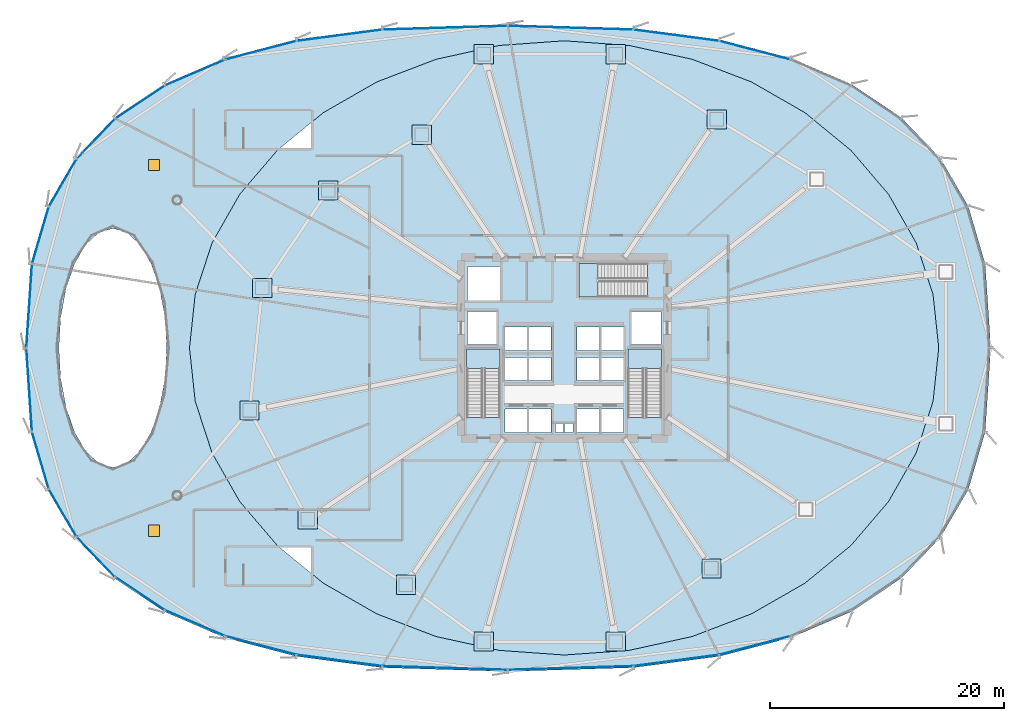
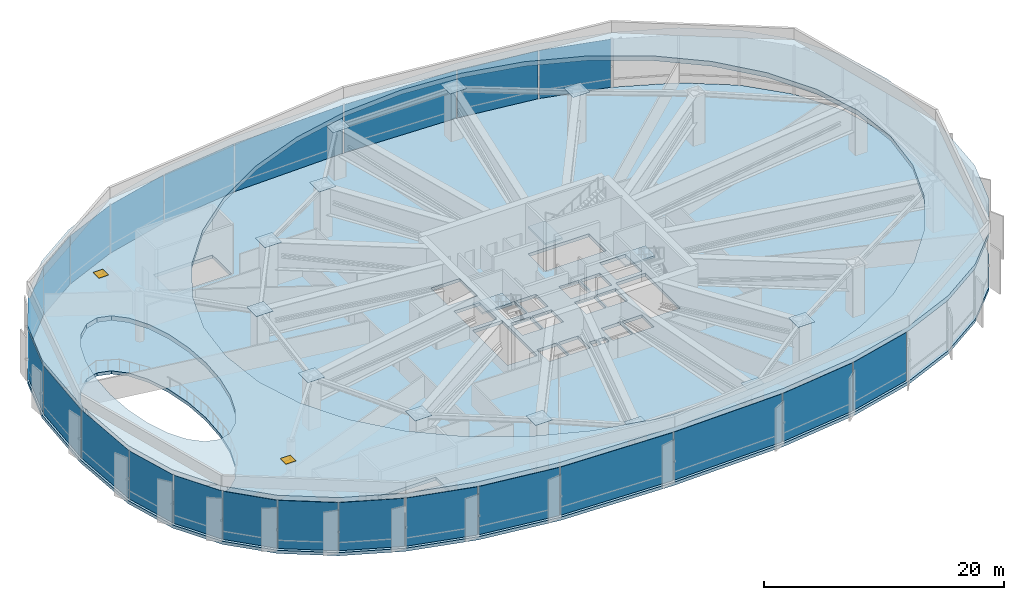
# One storey, part 25 of 36: 36 plates, 5 slabs, 2 doors, 2 openings, 7 elements without a shape of their own.
"""IFC4 building model written with IfcOpenShell, lengths in metres."""

from ifc_helpers import new_model, si_unit, direction, frame, origin, origin_2d, place, context, subcontext, project, spatial, polyline, rectangle, outline, extrude, source, transform, mapped, material, layer, layer_set, type_object, element, fill, aggregate, save


model = new_model("IFC4")

# Units and contexts
model_context = context("Model", 3, precision=1e-05, world=origin(), true_north=direction((0.0, 1.0)))
body_context = subcontext(model_context, "Body", "Model", "MODEL_VIEW")
ifc_project = project(units=[si_unit("LENGTHUNIT", "METRE"), si_unit("AREAUNIT", "SQUARE_METRE"), si_unit("VOLUMEUNIT", "CUBIC_METRE"), si_unit("PLANEANGLEUNIT", "RADIAN"), si_unit("MASSUNIT", "GRAM", prefix="KILO"), si_unit("THERMODYNAMICTEMPERATUREUNIT", "KELVIN")], contexts=[model_context])

# Site, building, storey
site_placement = place(None, origin())
site = spatial("IfcSite", under=ifc_project, at=site_placement, CompositionType="ELEMENT")
building_placement = place(site_placement, origin())
building = spatial("IfcBuilding", under=site, at=building_placement, Name="Kethvar Cultural Tower", CompositionType="ELEMENT")
storey_placement = place(building_placement, frame((0.0, 0.0, 24.0)))
storey = spatial("IfcBuildingStorey", under=building, at=storey_placement, Name="L05", CompositionType="ELEMENT", Elevation=24.0)

# Slab
ifc_material_1 = material(Name="Concrete C50/60", Category="concrete")
ifc_layer_1 = layer(ifc_material_1, 0.320068359375, Name="Concrete C50/60", Category="concrete")
ifc_layer_set_1 = layer_set([ifc_layer_1], Name="Concrete C50/60 (320 mm)")
slab_type_1 = type_object("IfcSlabType", Name="SL-POD-320", PredefinedType="FLOOR", material=ifc_layer_set_1)
slab_1_placement = place(storey_placement, frame((0.0, 0.0, -0.320068359375)))
element("IfcSlab", 1, at=slab_1_placement, inside=storey, type_object=slab_type_1, Name="L05 Structural Floor Slab", PredefinedType="FLOOR", context=body_context, shape_type="SweptSolid", body=[
    extrude(outline(polyline([(83.199951171875, 27.800048828125), (82.7177734375, 34.978515625), (81.275146484375, 39.8916015625), (78.884521484375, 43.993896484375), (75.56298828125, 47.44580078125), (71.326416015625, 50.283935546875), (66.17333984375, 52.509033203125), (60.0498046875, 54.110595703125), (52.7158203125, 55.076904296875), (42.0, 55.39990234375), (31.2841796875, 55.076904296875), (23.9501953125, 54.110595703125), (17.82666015625, 52.509033203125), (12.673583984375, 50.283935546875), (8.43701171875, 47.44580078125), (5.115478515625, 43.993896484375), (2.724853515625, 39.8916015625), (1.2822265625, 34.978515625), (0.800048828125, 27.800048828125), (1.2822265625, 20.621337890625), (2.724853515625, 15.708251953125), (5.115478515625, 11.606201171875), (8.43701171875, 8.154296875), (12.673583984375, 5.31591796875), (17.82666015625, 3.091064453125), (23.9501953125, 1.489501953125), (31.2841796875, 0.523193359375), (42.0, 0.199951171875), (52.7158203125, 0.523193359375), (60.0498046875, 1.489501953125), (66.17333984375, 3.091064453125), (71.326416015625, 5.31591796875), (75.56298828125, 8.154296875), (78.884521484375, 11.606201171875), (81.275146484375, 15.708251953125), (82.7177734375, 20.621337890625), (83.199951171875, 27.800048828125)]), holes=[polyline([(38.489990234375, 21.85009765625), (38.489990234375, 27.699951171875), (41.35009765625, 27.699951171875), (41.35009765625, 21.85009765625), (38.489990234375, 21.85009765625)]), polyline([(52.25, 21.85009765625), (52.25, 27.699951171875), (55.110107421875, 27.699951171875), (55.110107421875, 21.85009765625), (52.25, 21.85009765625)]), polyline([(53.89990234375, 32.14990234375), (48.050048828125, 32.14990234375), (48.050048828125, 35.010009765625), (53.89990234375, 35.010009765625), (53.89990234375, 32.14990234375)]), polyline([(19.5, 10.760009765625), (25.199951171875, 10.760009765625), (25.199951171875, 7.60009765625), (19.5, 7.60009765625), (19.5, 10.760009765625)]), polyline([(19.5, 48.0), (25.199951171875, 48.0), (25.199951171875, 44.840087890625), (19.5, 44.840087890625), (19.5, 48.0)]), polyline([(41.75, 22.60009765625), (43.64990234375, 22.60009765625), (43.64990234375, 20.60009765625), (41.75, 20.60009765625), (41.75, 22.60009765625)]), polyline([(43.800048828125, 22.60009765625), (45.699951171875, 22.60009765625), (45.699951171875, 20.60009765625), (43.800048828125, 20.60009765625), (43.800048828125, 22.60009765625)]), polyline([(47.89990234375, 22.60009765625), (49.800048828125, 22.60009765625), (49.800048828125, 20.60009765625), (47.89990234375, 20.60009765625), (47.89990234375, 22.60009765625)]), polyline([(49.949951171875, 22.60009765625), (51.85009765625, 22.60009765625), (51.85009765625, 20.60009765625), (49.949951171875, 20.60009765625), (49.949951171875, 22.60009765625)]), polyline([(41.75, 27.0), (43.64990234375, 27.0), (43.64990234375, 25.0), (41.75, 25.0), (41.75, 27.0)]), polyline([(43.800048828125, 27.0), (45.699951171875, 27.0), (45.699951171875, 25.0), (43.800048828125, 25.0), (43.800048828125, 27.0)]), polyline([(47.89990234375, 27.0), (49.800048828125, 27.0), (49.800048828125, 25.0), (47.89990234375, 25.0), (47.89990234375, 27.0)]), polyline([(49.949951171875, 27.0), (51.85009765625, 27.0), (51.85009765625, 25.0), (49.949951171875, 25.0), (49.949951171875, 27.0)]), polyline([(41.75, 29.60009765625), (43.64990234375, 29.60009765625), (43.64990234375, 27.60009765625), (41.75, 27.60009765625), (41.75, 29.60009765625)]), polyline([(43.800048828125, 29.60009765625), (45.699951171875, 29.60009765625), (45.699951171875, 27.60009765625), (43.800048828125, 27.60009765625), (43.800048828125, 29.60009765625)]), polyline([(47.89990234375, 29.60009765625), (49.800048828125, 29.60009765625), (49.800048828125, 27.60009765625), (47.89990234375, 27.60009765625), (47.89990234375, 29.60009765625)]), polyline([(49.949951171875, 29.60009765625), (51.85009765625, 29.60009765625), (51.85009765625, 27.60009765625), (49.949951171875, 27.60009765625), (49.949951171875, 29.60009765625)]), polyline([(38.550048828125, 30.89990234375), (41.050048828125, 30.89990234375), (41.050048828125, 28.10009765625), (38.550048828125, 28.10009765625), (38.550048828125, 30.89990234375)]), polyline([(52.550048828125, 30.89990234375), (55.050048828125, 30.89990234375), (55.050048828125, 28.10009765625), (52.550048828125, 28.10009765625), (52.550048828125, 30.89990234375)]), polyline([(38.550048828125, 34.75), (41.35009765625, 34.75), (41.35009765625, 31.85009765625), (38.550048828125, 31.85009765625), (38.550048828125, 34.75)]), polyline([(46.050048828125, 21.35009765625), (46.75, 21.35009765625), (46.75, 20.60009765625), (46.050048828125, 20.60009765625), (46.050048828125, 21.35009765625)]), polyline([(46.85009765625, 21.35009765625), (47.550048828125, 21.35009765625), (47.550048828125, 20.60009765625), (46.85009765625, 20.60009765625), (46.85009765625, 21.35009765625)]), polyline([(12.743408203125, 25.159912109375), (12.28369140625, 22.699951171875), (11.552734375, 20.58740234375), (10.60009765625, 18.966552734375), (9.490478515625, 17.947509765625), (8.300048828125, 17.60009765625), (7.109375, 17.947509765625), (6.0, 18.966552734375), (5.04736328125, 20.58740234375), (4.31640625, 22.699951171875), (3.856689453125, 25.159912109375), (3.699951171875, 27.800048828125), (3.856689453125, 30.43994140625), (4.31640625, 32.89990234375), (5.04736328125, 35.012451171875), (6.0, 36.633544921875), (7.109375, 37.65234375), (8.300048828125, 38.0), (9.490478515625, 37.65234375), (10.60009765625, 36.633544921875), (11.552734375, 35.012451171875), (12.28369140625, 32.89990234375), (12.743408203125, 30.43994140625), (12.89990234375, 27.800048828125), (12.743408203125, 25.159912109375)])]), origin(), (0.0, 0.0, 1.0), 0.320068359375),
])

# Slab, openings, doors
ifc_material_2 = material(Name="Concrete C40/50", Category="concrete")
ifc_layer_2 = layer(ifc_material_2, 0.47998046875, Name="Concrete C40/50", Category="concrete")
ifc_layer_set_2 = layer_set([ifc_layer_2], Name="Concrete C40/50 (480 mm)")
slab_type_2 = type_object("IfcSlabType", Name="SL-ROOF-POD", PredefinedType="ROOF", material=ifc_layer_set_2)
slab_2_placement = place(storey_placement, frame((0.0, 0.0, 5.1201171875)))
slab_2 = element("IfcSlab", 2, at=slab_2_placement, inside=storey, type_object=slab_type_2, Name="Podium Roof & Atrium Skylight Deck", PredefinedType="ROOF", context=body_context, shape_type="SweptSolid", body=[
    extrude(outline(polyline([(83.199951171875, 27.800048828125), (82.7177734375, 34.978515625), (81.275146484375, 39.8916015625), (78.884521484375, 43.993896484375), (75.56298828125, 47.44580078125), (71.326416015625, 50.283935546875), (66.17333984375, 52.509033203125), (60.0498046875, 54.110595703125), (52.7158203125, 55.076904296875), (42.0, 55.39990234375), (31.2841796875, 55.076904296875), (23.9501953125, 54.110595703125), (17.82666015625, 52.509033203125), (12.673583984375, 50.283935546875), (8.43701171875, 47.44580078125), (5.115478515625, 43.993896484375), (2.724853515625, 39.8916015625), (1.2822265625, 34.978515625), (0.800048828125, 27.800048828125), (1.2822265625, 20.621337890625), (2.724853515625, 15.708251953125), (5.115478515625, 11.606201171875), (8.43701171875, 8.154296875), (12.673583984375, 5.31591796875), (17.82666015625, 3.091064453125), (23.9501953125, 1.489501953125), (31.2841796875, 0.523193359375), (42.0, 0.199951171875), (52.7158203125, 0.523193359375), (60.0498046875, 1.489501953125), (66.17333984375, 3.091064453125), (71.326416015625, 5.31591796875), (75.56298828125, 8.154296875), (78.884521484375, 11.606201171875), (81.275146484375, 15.708251953125), (82.7177734375, 20.621337890625), (83.199951171875, 27.800048828125)]), holes=[polyline([(78.2744140625, 23.25048828125), (76.83251953125, 18.839111328125), (74.478271484375, 14.699951171875), (71.28271484375, 10.958984375), (67.343505859375, 7.7294921875), (62.780029296875, 5.110107421875), (57.73095703125, 3.18017578125), (52.349853515625, 1.998046875), (46.800048828125, 1.60009765625), (41.250244140625, 1.998046875), (35.868896484375, 3.18017578125), (30.820068359375, 5.110107421875), (26.256591796875, 7.7294921875), (22.317138671875, 10.958984375), (19.121826171875, 14.699951171875), (16.767333984375, 18.839111328125), (15.325439453125, 23.25048828125), (14.840087890625, 27.800048828125), (15.325439453125, 32.349609375), (16.767333984375, 36.760986328125), (19.121826171875, 40.89990234375), (22.317138671875, 44.64111328125), (26.256591796875, 47.870361328125), (30.820068359375, 50.489990234375), (35.868896484375, 52.419921875), (41.250244140625, 53.60205078125), (46.800048828125, 54.0), (52.349853515625, 53.60205078125), (57.73095703125, 52.419921875), (62.780029296875, 50.489990234375), (67.343505859375, 47.870361328125), (71.28271484375, 44.64111328125), (74.478271484375, 40.89990234375), (76.83251953125, 36.760986328125), (78.2744140625, 32.349609375), (78.760009765625, 27.800048828125), (78.2744140625, 23.25048828125)]), polyline([(12.743408203125, 25.159912109375), (12.28369140625, 22.699951171875), (11.552734375, 20.58740234375), (10.60009765625, 18.966552734375), (9.490478515625, 17.947509765625), (8.300048828125, 17.60009765625), (7.109375, 17.947509765625), (6.0, 18.966552734375), (5.04736328125, 20.58740234375), (4.31640625, 22.699951171875), (3.856689453125, 25.159912109375), (3.699951171875, 27.800048828125), (3.856689453125, 30.43994140625), (4.31640625, 32.89990234375), (5.04736328125, 35.012451171875), (6.0, 36.633544921875), (7.109375, 37.65234375), (8.300048828125, 38.0), (9.490478515625, 37.65234375), (10.60009765625, 36.633544921875), (11.552734375, 35.012451171875), (12.28369140625, 32.89990234375), (12.743408203125, 30.43994140625), (12.89990234375, 27.800048828125), (12.743408203125, 25.159912109375)])]), origin(), (0.0, 0.0, 1.0), 0.47998046875),
])
opening_1_placement = place(slab_2_placement, frame((11.800048828125, 12.199951171875, -0.010009765625)))
opening_1 = element("IfcOpeningElement", 3, at=opening_1_placement, cuts=slab_2, Name="Opening RH-02", PredefinedType="OPENING", context=body_context, shape_type="SweptSolid", body=[
    extrude(rectangle(XDim=0.949951171875, YDim=0.949951171875, at=origin_2d()), origin(), (0.0, 0.0, 1.0), 0.5),
])
opening_2_placement = place(slab_2_placement, frame((11.800048828125, 43.39990234375, -0.010009765625)))
opening_2 = element("IfcOpeningElement", 4, at=opening_2_placement, cuts=slab_2, Name="Opening RH-03", PredefinedType="OPENING", context=body_context, shape_type="SweptSolid", body=[
    extrude(rectangle(XDim=0.949951171875, YDim=0.949951171875, at=origin_2d()), origin(), (0.0, 0.0, 1.0), 0.5),
])
ifc_material_3 = material(Name="Steel S355J2", Category="steel")
door_type = type_object("IfcDoorType", Name="DR-TRAP-ROOF", OperationType="SINGLE_SWING_LEFT", PredefinedType="TRAPDOOR", material=ifc_material_3)
door_1_placement = place(slab_2_placement, frame((11.800048828125, 12.199951171875, 0.419921875)))
door_1 = element("IfcDoor", 5, at=door_1_placement, inside=storey, type_object=door_type, Name="Podium South Roof Access Hatch RH-02", OperationType="SINGLE_SWING_LEFT", OverallHeight=0.949951171875, OverallWidth=0.949951171875, PredefinedType="TRAPDOOR", context=body_context, shape_type="SweptSolid", body=[
    extrude(rectangle(XDim=0.949951171875, YDim=0.949951171875, at=origin_2d()), origin(), (0.0, 0.0, 1.0), 0.06005859375),
])
fill(opening_1, door_1)
door_2_placement = place(slab_2_placement, frame((11.800048828125, 43.39990234375, 0.419921875)))
door_2 = element("IfcDoor", 6, at=door_2_placement, inside=storey, type_object=door_type, Name="Podium North Roof Access Hatch RH-03", OperationType="SINGLE_SWING_LEFT", OverallHeight=0.949951171875, OverallWidth=0.949951171875, PredefinedType="TRAPDOOR", context=body_context, shape_type="SweptSolid", body=[
    extrude(rectangle(XDim=0.949951171875, YDim=0.949951171875, at=origin_2d()), origin(), (0.0, 0.0, 1.0), 0.06005859375),
])
fill(opening_2, door_2)

# Stair, slab
stair_type = type_object("IfcStairType", Name="ST-DOGLEG-135", PredefinedType="HALF_TURN_STAIR", material=ifc_material_2)
stair_1_placement = place(storey_placement, origin())
stair_1 = element("IfcStair", 7, at=stair_1_placement, inside=storey, type_object=stair_type, Name="L05 Core Exit Stair 1", PredefinedType="HALF_TURN_STAIR")
ifc_layer_3 = layer(ifc_material_2, 0.199951171875, Name="Concrete C40/50", Category="concrete")
ifc_layer_set_3 = layer_set([ifc_layer_3], Name="Concrete C40/50 (200 mm)")
slab_type_3 = type_object("IfcSlabType", Name="SL-STAIR-LANDING-200", PredefinedType="LANDING", material=ifc_layer_set_3)
slab_3_placement = place(storey_placement, frame((0.0, 0.0, 2.60009765625)))
slab_3 = element("IfcSlab", 8, at=slab_3_placement, type_object=slab_type_3, Name="ST-01 landing 1", PredefinedType="LANDING", context=body_context, shape_type="SweptSolid", body=[
    extrude(outline(polyline([(41.35009765625, 26.050048828125), (41.35009765625, 27.699951171875), (38.489990234375, 27.699951171875), (38.489990234375, 26.050048828125), (41.35009765625, 26.050048828125)])), origin(), (0.0, 0.0, 1.0), 0.199951171875),
])
aggregate(stair_1, [slab_3])

stair_2_placement = place(storey_placement, origin())
stair_2 = element("IfcStair", 9, at=stair_2_placement, inside=storey, type_object=stair_type, Name="L05 Core Exit Stair 2", PredefinedType="HALF_TURN_STAIR")
slab_4_placement = place(storey_placement, frame((0.0, 0.0, 2.60009765625)))
slab_4 = element("IfcSlab", 10, at=slab_4_placement, type_object=slab_type_3, Name="ST-02 landing 1", PredefinedType="LANDING", context=body_context, shape_type="SweptSolid", body=[
    extrude(outline(polyline([(55.110107421875, 26.050048828125), (55.110107421875, 27.699951171875), (52.25, 27.699951171875), (52.25, 26.050048828125), (55.110107421875, 26.050048828125)])), origin(), (0.0, 0.0, 1.0), 0.199951171875),
])
aggregate(stair_2, [slab_4])

stair_3_placement = place(storey_placement, origin())
stair_3 = element("IfcStair", 11, at=stair_3_placement, inside=storey, type_object=stair_type, Name="L05 Core Exit Stair 3", PredefinedType="HALF_TURN_STAIR")
slab_5_placement = place(storey_placement, frame((0.0, 0.0, 2.60009765625)))
slab_5 = element("IfcSlab", 12, at=slab_5_placement, type_object=slab_type_3, Name="ST-03 landing 1", PredefinedType="LANDING", context=body_context, shape_type="SweptSolid", body=[
    extrude(outline(polyline([(49.699951171875, 35.010009765625), (48.050048828125, 35.010009765625), (48.050048828125, 32.14990234375), (49.699951171875, 32.14990234375), (49.699951171875, 35.010009765625)])), origin(), (0.0, 0.0, 1.0), 0.199951171875),
])
aggregate(stair_3, [slab_5])

# Plates
ifc_material_4 = material(Name="Steel S460M", Category="steel")
ifc_layer_4 = layer(ifc_material_4, 0.0400390625, Name="Steel S460M", Category="steel")
ifc_layer_set_4 = layer_set([ifc_layer_4], Name="Steel S460M (40 mm)")
plate_type_1 = type_object("IfcPlateType", Name="PL-ENDCAP-BOX", PredefinedType="SHEET", material=ifc_layer_set_4)
shared_shape_1 = source(origin(), body_context, "Body", "SweptSolid", [
    extrude(rectangle(XDim=1.639892578125, YDim=1.639892578125, at=origin_2d()), origin(), (0.0, 0.0, 1.0), 0.0400390625),
])
for number, where, z_axis, x_axis, name in (
    (13, (59.824951171875, 47.293212890625, 5.080078125), (0.0, 0.0, 1.0), (1.0, 0.0, 0.0), "L05 Box Column Diaphragm Cap CP-03"),
    (14, (51.199951171875, 52.85009765625, 5.080078125), (0.0, 0.0, 1.0), (1.0, 0.0, 0.0), "L05 Box Column Diaphragm Cap CP-04"),
    (15, (39.949951171875, 52.85009765625, 5.080078125), (0.0, 0.0, 1.0), (1.0, 0.0, 0.0), "L05 Box Column Diaphragm Cap CP-05"),
    (16, (34.64599609375, 45.98974609375, 5.080078125), (0.0, 0.0, 1.0), (1.0, 0.0, 0.0), "L05 Box Column Diaphragm Cap CP-06"),
    (17, (26.6845703125, 41.24072265625, 5.080078125), (0.0, 0.0, 1.0), (1.0, 0.0, 0.0), "L05 Box Column Diaphragm Cap CP-07"),
    (18, (21.047119140625, 32.922607421875, 5.080078125), (0.0, 0.0, 1.0), (1.0, 0.0, 0.0), "L05 Box Column Diaphragm Cap CP-08"),
    (19, (19.9658203125, 22.46240234375, 5.080078125), (0.0, 0.0, 1.0), (1.0, 0.0, 0.0), "L05 Box Column Diaphragm Cap CP-09"),
    (20, (24.9248046875, 13.183349609375, 5.080078125), (0.0, 0.0, 1.0), (1.0, 0.0, 0.0), "L05 Box Column Diaphragm Cap CP-10"),
    (21, (33.302001953125, 7.598876953125, 5.080078125), (0.0, 0.0, 1.0), (1.0, 0.0, 0.0), "L05 Box Column Diaphragm Cap CP-11"),
    (22, (39.949951171875, 2.75, 5.080078125), (0.0, 0.0, 1.0), (1.0, 0.0, 0.0), "L05 Box Column Diaphragm Cap CP-12"),
    (23, (51.199951171875, 2.75, 5.080078125), (0.0, 0.0, 1.0), (1.0, 0.0, 0.0), "L05 Box Column Diaphragm Cap CP-13"),
    (24, (59.370361328125, 8.987060546875, 5.080078125), (0.0, 0.0, 1.0), (1.0, 0.0, 0.0), "L05 Box Column Diaphragm Cap CP-14"),
):
    element("IfcPlate", number, at=place(storey_placement, frame(where, z_axis=z_axis, x_axis=x_axis)), inside=storey, type_object=plate_type_1, Name=name, PredefinedType="SHEET", context=body_context, shape_type="MappedRepresentation", body=[
        mapped(shared_shape_1, transform((0.0, 0.0, 0.0), scale=1.0)),
    ])

# Curtain wall, plate
ifc_material_5 = material(Name="Aluminium 6063-T6", Category="aluminium")
ifc_layer_5 = layer(ifc_material_5, 0.179931640625, Name="Aluminium 6063-T6", Category="aluminium")
ifc_layer_set_5 = layer_set([ifc_layer_5], Name="Aluminium 6063-T6 (180 mm)")
curtain_wall_type = type_object("IfcCurtainWallType", Name="CW-SYS-01-POD", PredefinedType="NOTDEFINED", material=ifc_layer_set_5)
curtain_wall_1_placement = place(storey_placement, origin())
curtain_wall_1 = element("IfcCurtainWall", 25, at=curtain_wall_1_placement, inside=storey, type_object=curtain_wall_type, Name="L05 Curtain Wall Run 03", PredefinedType="NOTDEFINED")
ifc_material_6 = material(Name="Insulated Low-E Solar Glass", Category="glass")
ifc_layer_6 = layer(ifc_material_6, 0.035888671875, Name="Insulated Low-E Solar Glass", Category="glass")
ifc_layer_set_6 = layer_set([ifc_layer_6], Name="Insulated Low-E Solar Glass (36 mm)")
plate_type_2 = type_object("IfcPlateType", Name="CW-SYS-01-POD-PNL", PredefinedType="CURTAIN_PANEL", material=ifc_layer_set_6)
shared_shape_2 = source(origin(), body_context, "Body", "SweptSolid", [
    extrude(rectangle(XDim=7.086669921875, YDim=0.035888671875, at=origin_2d()), origin(), (0.0, 0.0, 1.0), 4.89990234375),
])
plate_1_placement = place(storey_placement, frame((1.1708984375, 31.380615234375, 0.110107421875), z_axis=(0.0, 0.0, 1.0), x_axis=(-0.067040137302, -0.997750279374, 0.0)))
plate_1 = element("IfcPlate", 26, at=plate_1_placement, type_object=plate_type_2, Name="CW-L05-R03 Vision Glazing Panel 6", PredefinedType="CURTAIN_PANEL", context=body_context, shape_type="MappedRepresentation", body=[
    mapped(shared_shape_2, transform((0.0, 0.0, 0.0), scale=1.0)),
])

curtain_wall_2_placement = place(storey_placement, origin())
curtain_wall_2 = element("IfcCurtainWall", 27, at=curtain_wall_2_placement, inside=storey, type_object=curtain_wall_type, Name="L05 Curtain Wall Run 04", PredefinedType="NOTDEFINED")
plate_2_placement = place(storey_placement, frame((1.1708984375, 24.219482421875, 0.110107421875), z_axis=(0.0, 0.0, 1.0), x_axis=(0.067040137302, -0.997750279374, 0.0)))
plate_2 = element("IfcPlate", 28, at=plate_2_placement, type_object=plate_type_2, Name="CW-L05-R04 Vision Glazing Panel 1", PredefinedType="CURTAIN_PANEL", context=body_context, shape_type="MappedRepresentation", body=[
    mapped(shared_shape_2, transform((0.0, 0.0, 0.0), scale=1.0)),
])

# Plate
shared_shape_3 = source(origin(), body_context, "Body", "SweptSolid", [
    extrude(rectangle(XDim=5.012451171875, YDim=0.035888671875, at=origin_2d()), origin(), (0.0, 0.0, 1.0), 4.89990234375),
])
plate_3_placement = place(storey_placement, frame((2.12841796875, 37.398681640625, 0.110107421875), z_axis=(0.0, 0.0, 1.0), x_axis=(-0.28172190008, -0.959496102658, 0.0)))
plate_3 = element("IfcPlate", 29, at=plate_3_placement, type_object=plate_type_2, Name="CW-L05-R03 Vision Glazing Panel 5", PredefinedType="CURTAIN_PANEL", context=body_context, shape_type="MappedRepresentation", body=[
    mapped(shared_shape_3, transform((0.0, 0.0, 0.0), scale=1.0)),
])

plate_4_placement = place(storey_placement, frame((2.12841796875, 18.201416015625, 0.110107421875), z_axis=(0.0, 0.0, 1.0), x_axis=(0.28172190008, -0.959496102658, 0.0)))
plate_4 = element("IfcPlate", 30, at=plate_4_placement, type_object=plate_type_2, Name="CW-L05-R04 Vision Glazing Panel 2", PredefinedType="CURTAIN_PANEL", context=body_context, shape_type="MappedRepresentation", body=[
    mapped(shared_shape_3, transform((0.0, 0.0, 0.0), scale=1.0)),
])

shared_shape_4 = source(origin(), body_context, "Body", "SweptSolid", [
    extrude(rectangle(XDim=4.639892578125, YDim=0.035888671875, at=origin_2d()), origin(), (0.0, 0.0, 1.0), 4.89990234375),
])
plate_5_placement = place(storey_placement, frame((4.032470703125, 41.877197265625, 0.110107421875), z_axis=(0.0, 0.0, 1.0), x_axis=(-0.503517649721, -0.863984939927, 0.0)))
plate_5 = element("IfcPlate", 31, at=plate_5_placement, type_object=plate_type_2, Name="CW-L05-R03 Vision Glazing Panel 4", PredefinedType="CURTAIN_PANEL", context=body_context, shape_type="MappedRepresentation", body=[
    mapped(shared_shape_4, transform((0.0, 0.0, 0.0), scale=1.0)),
])

plate_6_placement = place(storey_placement, frame((4.032470703125, 13.72265625, 0.110107421875), z_axis=(0.0, 0.0, 1.0), x_axis=(0.503517649721, -0.863984939927, 0.0)))
plate_6 = element("IfcPlate", 32, at=plate_6_placement, type_object=plate_type_2, Name="CW-L05-R04 Vision Glazing Panel 3", PredefinedType="CURTAIN_PANEL", context=body_context, shape_type="MappedRepresentation", body=[
    mapped(shared_shape_4, transform((0.0, 0.0, 0.0), scale=1.0)),
])

shared_shape_5 = source(origin(), body_context, "Body", "SweptSolid", [
    extrude(rectangle(XDim=4.682373046875, YDim=0.035888671875, at=origin_2d()), origin(), (0.0, 0.0, 1.0), 4.89990234375),
])
plate_7_placement = place(storey_placement, frame((6.869873046875, 45.629638671875, 0.110107421875), z_axis=(0.0, 0.0, 1.0), x_axis=(-0.693338945689, -0.720611619661, 0.0)))
plate_7 = element("IfcPlate", 33, at=plate_7_placement, type_object=plate_type_2, Name="CW-L05-R03 Vision Glazing Panel 3", PredefinedType="CURTAIN_PANEL", context=body_context, shape_type="MappedRepresentation", body=[
    mapped(shared_shape_5, transform((0.0, 0.0, 0.0), scale=1.0)),
])

plate_8_placement = place(storey_placement, frame((6.869873046875, 9.97021484375, 0.110107421875), z_axis=(0.0, 0.0, 1.0), x_axis=(0.693338945689, -0.720611619661, 0.0)))
plate_8 = element("IfcPlate", 34, at=plate_8_placement, type_object=plate_type_2, Name="CW-L05-R04 Vision Glazing Panel 4", PredefinedType="CURTAIN_PANEL", context=body_context, shape_type="MappedRepresentation", body=[
    mapped(shared_shape_5, transform((0.0, 0.0, 0.0), scale=1.0)),
])

shared_shape_6 = source(origin(), body_context, "Body", "SweptSolid", [
    extrude(rectangle(XDim=4.99169921875, YDim=0.035888671875, at=origin_2d()), origin(), (0.0, 0.0, 1.0), 4.89990234375),
])
plate_9_placement = place(storey_placement, frame((10.627685546875, 48.7568359375, 0.110107421875), z_axis=(0.0, 0.0, 1.0), x_axis=(-0.830809662848, -0.556556649514, 0.0)))
plate_9 = element("IfcPlate", 35, at=plate_9_placement, type_object=plate_type_2, Name="CW-L05-R03 Vision Glazing Panel 2", PredefinedType="CURTAIN_PANEL", context=body_context, shape_type="MappedRepresentation", body=[
    mapped(shared_shape_6, transform((0.0, 0.0, 0.0), scale=1.0)),
])

plate_10_placement = place(storey_placement, frame((10.627685546875, 6.84326171875, 0.110107421875), z_axis=(0.0, 0.0, 1.0), x_axis=(0.830809662848, -0.556556649514, 0.0)))
plate_10 = element("IfcPlate", 36, at=plate_10_placement, type_object=plate_type_2, Name="CW-L05-R04 Vision Glazing Panel 5", PredefinedType="CURTAIN_PANEL", context=body_context, shape_type="MappedRepresentation", body=[
    mapped(shared_shape_6, transform((0.0, 0.0, 0.0), scale=1.0)),
])

shared_shape_7 = source(origin(), body_context, "Body", "SweptSolid", [
    extrude(rectangle(XDim=5.5048828125, YDim=0.035888671875, at=origin_2d()), origin(), (0.0, 0.0, 1.0), 4.89990234375),
])
plate_11_placement = place(storey_placement, frame((15.3017578125, 51.277099609375, 0.110107421875), z_axis=(0.0, 0.0, 1.0), x_axis=(-0.918073180633, -0.396410942082, 0.0)))
plate_11 = element("IfcPlate", 37, at=plate_11_placement, type_object=plate_type_2, Name="CW-L05-R03 Vision Glazing Panel 1", PredefinedType="CURTAIN_PANEL", context=body_context, shape_type="MappedRepresentation", body=[
    mapped(shared_shape_7, transform((0.0, 0.0, 0.0), scale=1.0)),
])

aggregate(curtain_wall_1, [plate_11, plate_9, plate_7, plate_5, plate_3, plate_1])

plate_12_placement = place(storey_placement, frame((15.3017578125, 4.32275390625, 0.110107421875), z_axis=(0.0, 0.0, 1.0), x_axis=(0.918073180633, -0.396410942082, 0.0)))
plate_12 = element("IfcPlate", 38, at=plate_12_placement, type_object=plate_type_2, Name="CW-L05-R04 Vision Glazing Panel 6", PredefinedType="CURTAIN_PANEL", context=body_context, shape_type="MappedRepresentation", body=[
    mapped(shared_shape_7, transform((0.0, 0.0, 0.0), scale=1.0)),
])

aggregate(curtain_wall_2, [plate_2, plate_4, plate_6, plate_8, plate_10, plate_12])

# Curtain wall, plates
curtain_wall_3_placement = place(storey_placement, origin())
curtain_wall_3 = element("IfcCurtainWall", 39, at=curtain_wall_3_placement, inside=storey, type_object=curtain_wall_type, Name="L05 Curtain Wall Run 02", PredefinedType="NOTDEFINED")
shared_shape_8 = source(origin(), body_context, "Body", "SweptSolid", [
    extrude(rectangle(XDim=6.221435546875, YDim=0.035888671875, at=origin_2d()), origin(), (0.0, 0.0, 1.0), 4.89990234375),
])
plate_13_placement = place(storey_placement, frame((63.07861328125, 53.18408203125, 0.110107421875), z_axis=(0.0, 0.0, 1.0), x_axis=(-0.967457923558, 0.253031946887, 0.0)))
plate_13 = element("IfcPlate", 40, at=plate_13_placement, type_object=plate_type_2, Name="CW-L05-R02 Vision Glazing Panel 1", PredefinedType="CURTAIN_PANEL", context=body_context, shape_type="MappedRepresentation", body=[
    mapped(shared_shape_8, transform((0.0, 0.0, 0.0), scale=1.0)),
])
plate_14_placement = place(storey_placement, frame((20.92138671875, 53.18408203125, 0.110107421875), z_axis=(0.0, 0.0, 1.0), x_axis=(-0.967457923558, -0.253031946887, 0.0)))
plate_14 = element("IfcPlate", 41, at=plate_14_placement, type_object=plate_type_2, Name="CW-L05-R02 Vision Glazing Panel 6", PredefinedType="CURTAIN_PANEL", context=body_context, shape_type="MappedRepresentation", body=[
    mapped(shared_shape_8, transform((0.0, 0.0, 0.0), scale=1.0)),
])

curtain_wall_4_placement = place(storey_placement, origin())
curtain_wall_4 = element("IfcCurtainWall", 42, at=curtain_wall_4_placement, inside=storey, type_object=curtain_wall_type, Name="L05 Curtain Wall Run 05", PredefinedType="NOTDEFINED")
plate_15_placement = place(storey_placement, frame((20.92138671875, 2.416015625, 0.110107421875), z_axis=(0.0, 0.0, 1.0), x_axis=(0.967457923558, -0.253031946887, 0.0)))
plate_15 = element("IfcPlate", 43, at=plate_15_placement, type_object=plate_type_2, Name="CW-L05-R05 Vision Glazing Panel 1", PredefinedType="CURTAIN_PANEL", context=body_context, shape_type="MappedRepresentation", body=[
    mapped(shared_shape_8, transform((0.0, 0.0, 0.0), scale=1.0)),
])
plate_16_placement = place(storey_placement, frame((63.07861328125, 2.416015625, 0.110107421875), z_axis=(0.0, 0.0, 1.0), x_axis=(0.967457923558, 0.253031946887, 0.0)))
plate_16 = element("IfcPlate", 44, at=plate_16_placement, type_object=plate_type_2, Name="CW-L05-R05 Vision Glazing Panel 6", PredefinedType="CURTAIN_PANEL", context=body_context, shape_type="MappedRepresentation", body=[
    mapped(shared_shape_8, transform((0.0, 0.0, 0.0), scale=1.0)),
])

# Plate
shared_shape_9 = source(origin(), body_context, "Body", "SweptSolid", [
    extrude(rectangle(XDim=7.289306640625, YDim=0.035888671875, at=origin_2d()), origin(), (0.0, 0.0, 1.0), 4.89990234375),
])
plate_17_placement = place(storey_placement, frame((56.365966796875, 54.46484375, 0.110107421875), z_axis=(0.0, 0.0, 1.0), x_axis=(-0.991428907192, 0.130647319086, 0.0)))
plate_17 = element("IfcPlate", 45, at=plate_17_placement, type_object=plate_type_2, Name="CW-L05-R02 Vision Glazing Panel 2", PredefinedType="CURTAIN_PANEL", context=body_context, shape_type="MappedRepresentation", body=[
    mapped(shared_shape_9, transform((0.0, 0.0, 0.0), scale=1.0)),
])

plate_18_placement = place(storey_placement, frame((27.634033203125, 54.46484375, 0.110107421875), z_axis=(0.0, 0.0, 1.0), x_axis=(-0.991428907192, -0.130647319086, 0.0)))
plate_18 = element("IfcPlate", 46, at=plate_18_placement, type_object=plate_type_2, Name="CW-L05-R02 Vision Glazing Panel 5", PredefinedType="CURTAIN_PANEL", context=body_context, shape_type="MappedRepresentation", body=[
    mapped(shared_shape_9, transform((0.0, 0.0, 0.0), scale=1.0)),
])

plate_19_placement = place(storey_placement, frame((27.634033203125, 1.135009765625, 0.110107421875), z_axis=(0.0, 0.0, 1.0), x_axis=(0.991428907192, -0.130647319086, 0.0)))
plate_19 = element("IfcPlate", 47, at=plate_19_placement, type_object=plate_type_2, Name="CW-L05-R05 Vision Glazing Panel 2", PredefinedType="CURTAIN_PANEL", context=body_context, shape_type="MappedRepresentation", body=[
    mapped(shared_shape_9, transform((0.0, 0.0, 0.0), scale=1.0)),
])

plate_20_placement = place(storey_placement, frame((56.365966796875, 1.135009765625, 0.110107421875), z_axis=(0.0, 0.0, 1.0), x_axis=(0.991428907192, 0.130647319086, 0.0)))
plate_20 = element("IfcPlate", 48, at=plate_20_placement, type_object=plate_type_2, Name="CW-L05-R05 Vision Glazing Panel 5", PredefinedType="CURTAIN_PANEL", context=body_context, shape_type="MappedRepresentation", body=[
    mapped(shared_shape_9, transform((0.0, 0.0, 0.0), scale=1.0)),
])

shared_shape_10 = source(origin(), body_context, "Body", "SweptSolid", [
    extrude(rectangle(XDim=10.61279296875, YDim=0.035888671875, at=origin_2d()), origin(), (0.0, 0.0, 1.0), 4.89990234375),
])
plate_21_placement = place(storey_placement, frame((47.35400390625, 55.1083984375, 0.110107421875), z_axis=(0.0, 0.0, 1.0), x_axis=(-0.999545769248, 0.030137272261, 0.0)))
plate_21 = element("IfcPlate", 49, at=plate_21_placement, type_object=plate_type_2, Name="CW-L05-R02 Vision Glazing Panel 3", PredefinedType="CURTAIN_PANEL", context=body_context, shape_type="MappedRepresentation", body=[
    mapped(shared_shape_10, transform((0.0, 0.0, 0.0), scale=1.0)),
])

plate_22_placement = place(storey_placement, frame((36.64599609375, 55.1083984375, 0.110107421875), z_axis=(0.0, 0.0, 1.0), x_axis=(-0.999545769248, -0.030137272261, 0.0)))
plate_22 = element("IfcPlate", 50, at=plate_22_placement, type_object=plate_type_2, Name="CW-L05-R02 Vision Glazing Panel 4", PredefinedType="CURTAIN_PANEL", context=body_context, shape_type="MappedRepresentation", body=[
    mapped(shared_shape_10, transform((0.0, 0.0, 0.0), scale=1.0)),
])

aggregate(curtain_wall_3, [plate_13, plate_17, plate_21, plate_22, plate_18, plate_14])

plate_23_placement = place(storey_placement, frame((36.64599609375, 0.491455078125, 0.110107421875), z_axis=(0.0, 0.0, 1.0), x_axis=(0.999545769248, -0.030137272261, 0.0)))
plate_23 = element("IfcPlate", 51, at=plate_23_placement, type_object=plate_type_2, Name="CW-L05-R05 Vision Glazing Panel 3", PredefinedType="CURTAIN_PANEL", context=body_context, shape_type="MappedRepresentation", body=[
    mapped(shared_shape_10, transform((0.0, 0.0, 0.0), scale=1.0)),
])

plate_24_placement = place(storey_placement, frame((47.35400390625, 0.491455078125, 0.110107421875), z_axis=(0.0, 0.0, 1.0), x_axis=(0.999545769248, 0.030137272261, 0.0)))
plate_24 = element("IfcPlate", 52, at=plate_24_placement, type_object=plate_type_2, Name="CW-L05-R05 Vision Glazing Panel 4", PredefinedType="CURTAIN_PANEL", context=body_context, shape_type="MappedRepresentation", body=[
    mapped(shared_shape_10, transform((0.0, 0.0, 0.0), scale=1.0)),
])

aggregate(curtain_wall_4, [plate_15, plate_19, plate_23, plate_24, plate_20, plate_16])

save(model, "model.ifc")
